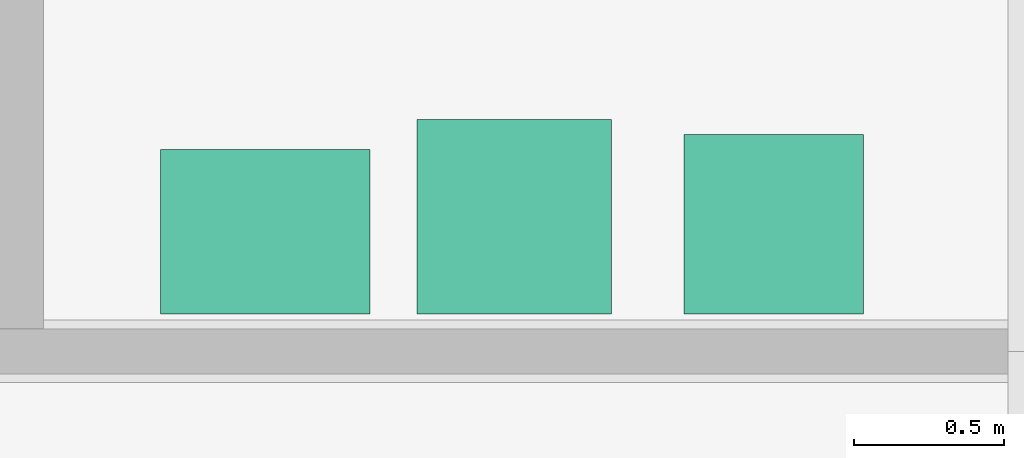
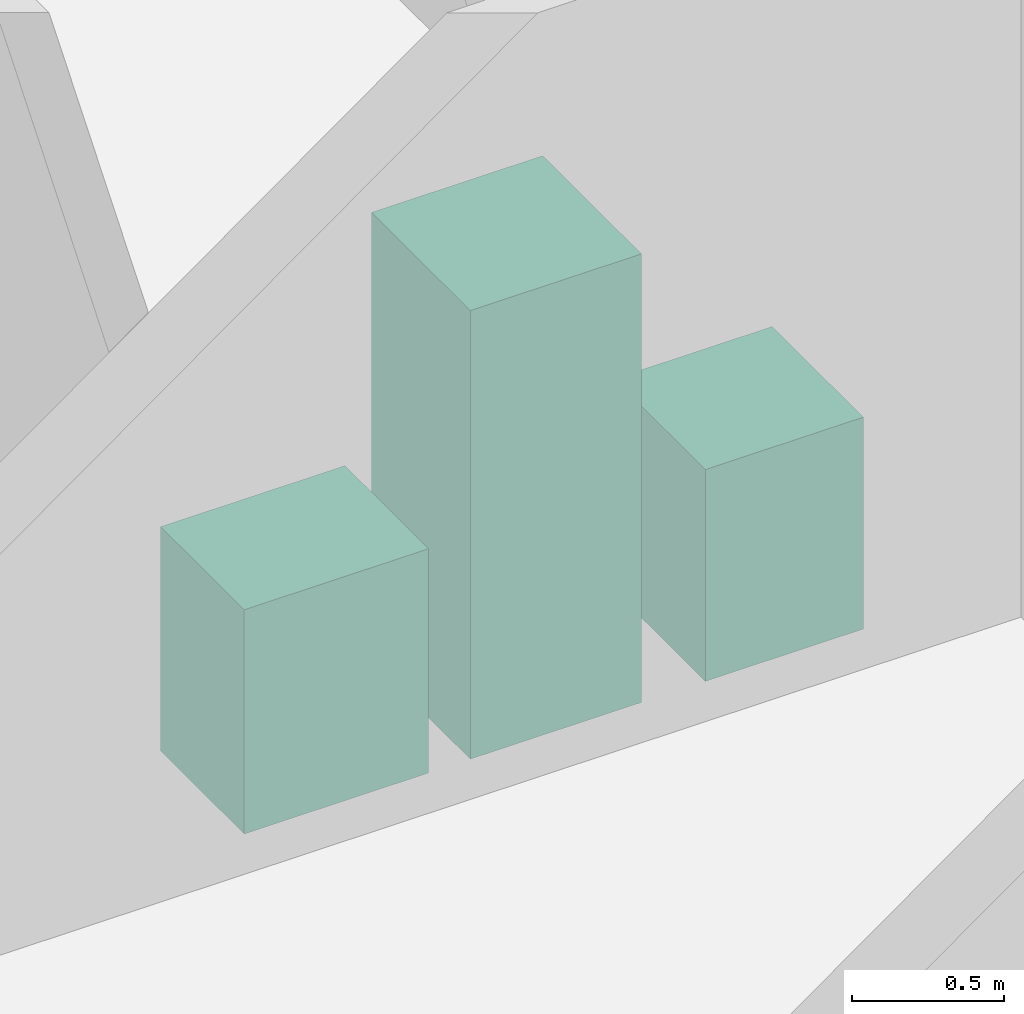
# One storey, part 19 of 19: 2 electric appliances, 1 sanitary terminal.
"""IFC4 building model written with IfcOpenShell, lengths in metres."""

import ifcopenshell
import ifcopenshell.guid

model = None  # the IFC model being written
_history = None  # IfcOwnerHistory: only IFC2X3 demands one
_inside = {}  # id of a spatial element -> (the spatial element, [elements in it])
_under = {}  # id of a project, library or spatial element -> (it, [spatial elements below it])
_declared = {}  # id of a project -> (the project, [libraries it declares])
_typed = {}  # id of a type object -> (the type object, [elements of that type])
_made_of = {}  # id of a material, layer set ... -> (it, [elements and type objects made of it])


def new_model(schema):
    """Start an empty IFC model of exactly this schema.

    Asked for "IFC4X3", IfcOpenShell would pick the latest addendum, in which some entities
    have other attributes; the version numbers below select the first issue.
    IFC2X3 requires an IfcOwnerHistory on every rooted entity: one is made here for all.
    """
    global model, _history
    if schema == "IFC4X3":
        model = ifcopenshell.file(schema_version=(4, 3, 0, 0))
    else:
        model = ifcopenshell.file(schema=schema)
    _inside.clear()
    _under.clear()
    _declared.clear()
    _typed.clear()
    _made_of.clear()
    _history = None
    if model.schema == "IFC2X3":
        org = make("IfcOrganization", Name="unknown")
        user = make(
            "IfcPersonAndOrganization",
            ThePerson=make("IfcPerson", FamilyName="unknown"),
            TheOrganization=org,
        )
        app = make(
            "IfcApplication",
            ApplicationDeveloper=org,
            Version="unknown",
            ApplicationFullName="unknown",
            ApplicationIdentifier="unknown",
        )
        _history = make(
            "IfcOwnerHistory",
            OwningUser=user,
            OwningApplication=app,
            ChangeAction="ADDED",
            CreationDate=0,
        )
    return model


def make(cls, **values):
    """One entity of the class cls with the attributes given. An attribute that is None is left unset."""
    return model.create_entity(
        cls, **{name: value for name, value in values.items() if value is not None}
    )


def rooted(cls, **values):
    """An entity with a GlobalId (a new one), such as an element, a storey or a relation."""
    return make(cls, GlobalId=ifcopenshell.guid.new(), OwnerHistory=_history, **values)


def si_unit(unit_type, name, prefix=None):
    """IfcSIUnit, for example si_unit("LENGTHUNIT", "METRE", prefix="MILLI")."""
    return make("IfcSIUnit", UnitType=unit_type, Prefix=prefix, Name=name)


def assignment(units):
    """IfcUnitAssignment: the units of a project."""
    return None if units is None else make("IfcUnitAssignment", Units=units)


def point(xyz):
    """IfcCartesianPoint."""
    return None if xyz is None else make("IfcCartesianPoint", Coordinates=xyz)


def direction(xyz):
    """IfcDirection."""
    return None if xyz is None else make("IfcDirection", DirectionRatios=xyz)


def frame(location, z_axis=None, x_axis=None):
    """IfcAxis2Placement3D, a coordinate frame: its origin and axes. An axis left out is left unset."""
    return make(
        "IfcAxis2Placement3D",
        Location=point(location),
        Axis=direction(z_axis),
        RefDirection=direction(x_axis),
    )


def frame_2d(location, x_axis=None):
    """IfcAxis2Placement2D, a coordinate frame in the plane: its origin and x axis."""
    return make(
        "IfcAxis2Placement2D", Location=point(location), RefDirection=direction(x_axis)
    )


def origin():
    """The frame at (0, 0, 0) with its axes left unset."""
    return frame((0.0, 0.0, 0.0))


def origin_2d():
    """The frame at (0, 0) in the plane with its x axis left unset."""
    return frame_2d((0.0, 0.0))


def place(relative_to, where):
    """IfcLocalPlacement: puts the frame where relative to a parent placement (None: the world)."""
    return make(
        "IfcLocalPlacement", PlacementRelTo=relative_to, RelativePlacement=where
    )


def context(
    kind, dimensions, precision=None, world=None, true_north=None, identifier=None
):
    """IfcGeometricRepresentationContext, for example the 3D "Model" context."""
    return make(
        "IfcGeometricRepresentationContext",
        ContextIdentifier=identifier,
        ContextType=kind,
        CoordinateSpaceDimension=dimensions,
        Precision=precision,
        WorldCoordinateSystem=world,
        TrueNorth=true_north,
    )


def subcontext(parent, identifier, kind, view, scale=None):
    """IfcGeometricRepresentationSubContext, for example "Body" below "Model"."""
    return make(
        "IfcGeometricRepresentationSubContext",
        ContextIdentifier=identifier,
        ContextType=kind,
        ParentContext=parent,
        TargetScale=scale,
        TargetView=view,
    )


def project(units=None, contexts=None):
    """IfcProject with its units and contexts."""
    return rooted(
        "IfcProject",
        Name="project",
        RepresentationContexts=contexts,
        UnitsInContext=assignment(units),
    )


def spatial(cls, under=None, at=None, **own):
    """A site, building, storey or space (cls), placed at a placement, below another one or the project."""
    s = rooted(cls, ObjectPlacement=at, **own)
    if under is not None:
        _under.setdefault(under.id(), (under, []))[1].append(s)
    return s


def profile(cls, at=None, kind="AREA", **sizes):
    """A parametric profile (cls). Its sizes go by their IFC names, for example OverallWidth=200.0."""
    return make(cls, ProfileType=kind, Position=at, **sizes)


def rectangle(**sizes):
    """IfcRectangleProfileDef."""
    return profile("IfcRectangleProfileDef", **sizes)


def extrude(swept, where, along, depth):
    """IfcExtrudedAreaSolid: the profile swept, set in the frame where, extruded along a direction by depth."""
    return make(
        "IfcExtrudedAreaSolid",
        SweptArea=swept,
        Position=where,
        ExtrudedDirection=direction(along),
        Depth=depth,
    )


def shape(context_of_items, identifier, shape_type, items):
    """IfcShapeRepresentation: the items that make up one representation, for example the "Body"."""
    return make(
        "IfcShapeRepresentation",
        ContextOfItems=context_of_items,
        RepresentationIdentifier=identifier,
        RepresentationType=shape_type,
        Items=items,
    )


def material(Name=None, Category=None):
    """IfcMaterial."""
    return make("IfcMaterial", Name=Name, Category=Category)


def made_of(thing, what):
    """Note that an element or type object is made of a material, layer set ...; save() writes the relation."""
    if what is not None:
        _made_of.setdefault(what.id(), (what, []))[1].append(thing)
    return thing


def type_object(cls, material=None, **own):
    """A type object (cls), such as IfcWallType, which elements share."""
    return made_of(rooted(cls, **own), material)


def element(
    cls,
    number,
    at=None,
    inside=None,
    cuts=None,
    type_object=None,
    material=None,
    context=None,
    identifier="Body",
    shape_type=None,
    held_by="IfcProductDefinitionShape",
    body=None,
    shapes=None,
    **own,
):
    """One element of the class cls, such as IfcWall. Its Tag is "e" and its number.

    at: its placement. inside: the storey or other place that contains it. cuts: it is an
    opening in that element (IfcRelVoidsElement). A single representation is given by context,
    identifier, shape_type and body (its items); several are given by shapes. held_by: the class
    of the entity that holds the representations. save() writes the other relations.
    """
    e = rooted(cls, Tag="e%d" % number, ObjectPlacement=at, **own)
    if body is not None:
        shapes = [shape(context, identifier, shape_type, body)]
    if shapes is not None:
        e.Representation = make(held_by, Representations=shapes)
    if inside is not None:
        _inside.setdefault(inside.id(), (inside, []))[1].append(e)
    if cuts is not None:
        rooted(
            "IfcRelVoidsElement", RelatingBuildingElement=cuts, RelatedOpeningElement=e
        )
    if type_object is not None:
        _typed.setdefault(type_object.id(), (type_object, []))[1].append(e)
    return made_of(e, material)


def aggregate(whole, parts):
    """IfcRelAggregates: a whole, such as a stair, and the parts it consists of."""
    return rooted("IfcRelAggregates", RelatingObject=whole, RelatedObjects=parts)


def save(model, path):
    """Write the relations noted so far, then the file.

    IfcRelAggregates (storeys below a building ...), IfcRelContainedInSpatialStructure (elements
    in a storey), IfcRelDefinesByType, IfcRelAssociatesMaterial and IfcRelDeclares: one each for
    every whole, place, type object, material and project.
    """
    for whole, parts in _under.values():
        aggregate(whole, parts)
    for where, things in _inside.values():
        rooted(
            "IfcRelContainedInSpatialStructure",
            RelatedElements=things,
            RelatingStructure=where,
        )
    for kind, things in _typed.values():
        rooted("IfcRelDefinesByType", RelatedObjects=things, RelatingType=kind)
    for what, things in _made_of.values():
        rooted("IfcRelAssociatesMaterial", RelatedObjects=things, RelatingMaterial=what)
    for by, libraries in _declared.values():
        rooted("IfcRelDeclares", RelatingContext=by, RelatedDefinitions=libraries)
    model.write(path)


model = new_model("IFC4")

# Units and contexts
model_context = context("Model", 3, precision=1e-05, world=origin(), true_north=direction((0.0, 1.0)))
body_context = subcontext(model_context, "Body", "Model", "MODEL_VIEW")
ifc_project = project(units=[si_unit("LENGTHUNIT", "METRE"), si_unit("AREAUNIT", "SQUARE_METRE"), si_unit("VOLUMEUNIT", "CUBIC_METRE"), si_unit("PLANEANGLEUNIT", "RADIAN"), si_unit("MASSUNIT", "GRAM", prefix="KILO")], contexts=[model_context])

# Site, building, storey
site_placement = place(None, origin())
site = spatial("IfcSite", under=ifc_project, at=site_placement, CompositionType="ELEMENT")
building_placement = place(site_placement, origin())
building = spatial("IfcBuilding", under=site, at=building_placement, Name="Tessera Gate Towers", CompositionType="ELEMENT")
storey_placement = place(building_placement, frame((0.0, 0.0, 80.0)))
storey = spatial("IfcBuildingStorey", under=building, at=storey_placement, Name="L19", CompositionType="ELEMENT", Elevation=80.0)

# Electric appliances
ifc_material_1 = material(Name="Enamelled steel", Category="steel")
electric_appliance_type_1 = type_object("IfcElectricApplianceType", Name="DISHWASHER 600x600", PredefinedType="DISHWASHER", material=ifc_material_1)
electric_appliance_1_placement = place(storey_placement, frame((132.9169921875, 37.02490234375, 0.0), z_axis=(0.0, 0.0, 1.0), x_axis=(1.0, 0.0, 0.0)))
element("IfcElectricAppliance", 1, at=electric_appliance_1_placement, inside=storey, type_object=electric_appliance_type_1, Name="Dishwasher", PredefinedType="DISHWASHER", context=body_context, shape_type="SweptSolid", body=[
    extrude(rectangle(XDim=0.60009765625, YDim=0.60009765625, at=origin_2d()), origin(), (0.0, 0.0, 1.0), 0.85009765625),
])
ifc_material_2 = material(Name="Enamelled steel", Category="steel")
electric_appliance_type_2 = type_object("IfcElectricApplianceType", Name="REFRIGERATOR 650x650", PredefinedType="FRIDGE_FREEZER", material=ifc_material_2)
electric_appliance_2_placement = place(storey_placement, frame((132.050048828125, 37.050048828125, 0.0), z_axis=(0.0, 0.0, 1.0), x_axis=(1.0, 0.0, 0.0)))
element("IfcElectricAppliance", 2, at=electric_appliance_2_placement, inside=storey, type_object=electric_appliance_type_2, Name="Refrigerator", PredefinedType="FRIDGE_FREEZER", context=body_context, shape_type="SweptSolid", body=[
    extrude(rectangle(XDim=0.64990234375, YDim=0.64990234375, at=origin_2d()), origin(), (0.0, 0.0, 1.0), 1.800048828125),
])

# Sanitary terminal
ifc_material_3 = material(Name="Vitreous china")
sanitary_terminal_type = type_object("IfcSanitaryTerminalType", Name="SINK 700x550", PredefinedType="SINK", material=ifc_material_3)
sanitary_terminal_placement = place(storey_placement, frame((131.217041015625, 37.0, 0.0), z_axis=(0.0, 0.0, 1.0), x_axis=(1.0, 0.0, 0.0)))
element("IfcSanitaryTerminal", 3, at=sanitary_terminal_placement, inside=storey, type_object=sanitary_terminal_type, Name="Sink", PredefinedType="SINK", context=body_context, shape_type="SweptSolid", body=[
    extrude(rectangle(XDim=0.699951171875, YDim=0.550048828125, at=origin_2d()), origin(), (0.0, 0.0, 1.0), 0.89990234375),
])

save(model, "model.ifc")
